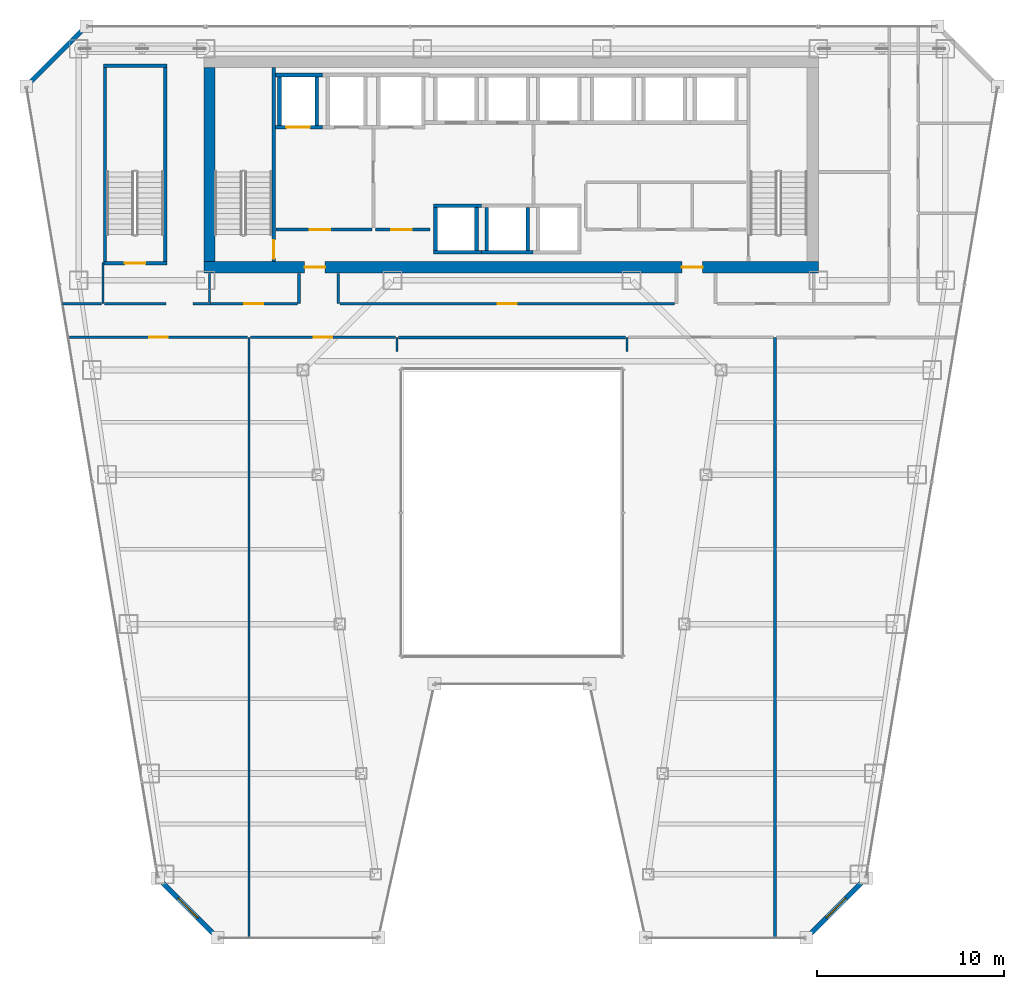
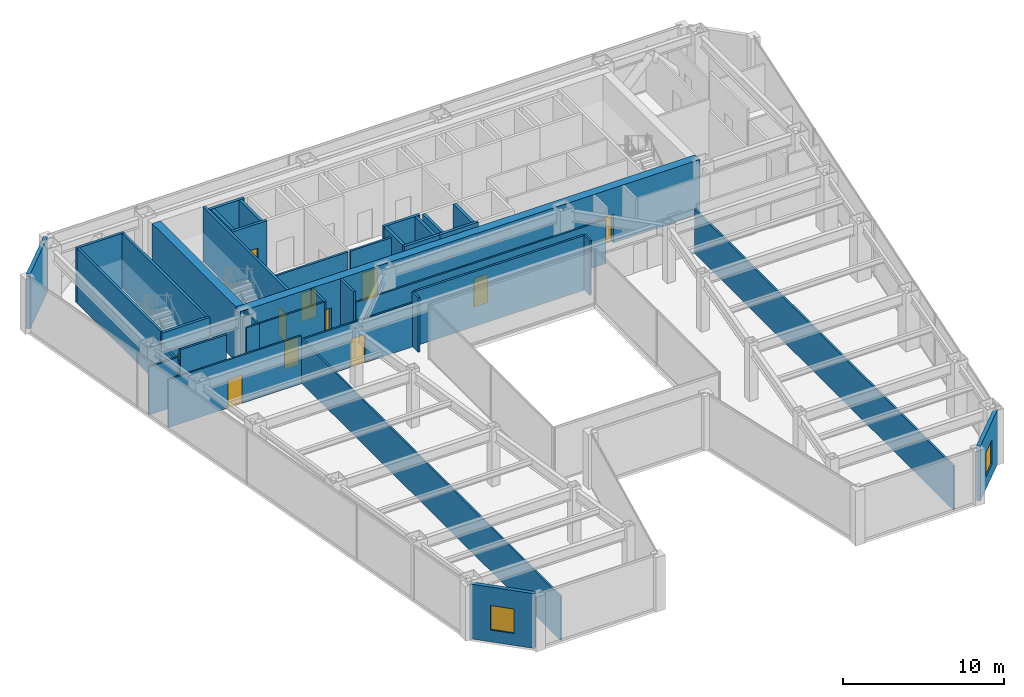
# One storey, part 32 of 37: 39 walls, 11 doors, 2 windows, 13 openings.
"""IFC4 building model written with IfcOpenShell, lengths in metres."""

from ifc_helpers import new_model, si_unit, direction, frame, frame_2d, origin, place, context, subcontext, project, spatial, rectangle, extrude, material, layer, layer_set, type_object, element, fill, save


model = new_model("IFC4")

# Units and contexts
model_context = context("Model", 3, precision=1e-05, world=origin(), true_north=direction((0.0, 1.0)))
body_context = subcontext(model_context, "Body", "Model", "MODEL_VIEW")
ifc_project = project(units=[si_unit("LENGTHUNIT", "METRE"), si_unit("AREAUNIT", "SQUARE_METRE"), si_unit("VOLUMEUNIT", "CUBIC_METRE"), si_unit("PLANEANGLEUNIT", "RADIAN"), si_unit("MASSUNIT", "GRAM", prefix="KILO")], contexts=[model_context])

# Site, building, storey
site_placement = place(None, origin())
site = spatial("IfcSite", under=ifc_project, at=site_placement, CompositionType="ELEMENT")
building_placement = place(site_placement, origin())
building = spatial("IfcBuilding", under=site, at=building_placement, Name="Saevonmaru Cultural Tower", CompositionType="ELEMENT")
storey_placement = place(building_placement, frame((0.0, 0.0, 106.0)))
storey = spatial("IfcBuildingStorey", under=building, at=storey_placement, Name="L22", CompositionType="ELEMENT", Elevation=106.0)

# Wall, openings, doors
ifc_material_1 = material(Name="Concrete C60/75", Category="concrete")
ifc_layer_1 = layer(ifc_material_1, 0.60009765625, Name="Concrete C60/75")
ifc_layer_set_1 = layer_set([ifc_layer_1], Name="Concrete C60/75")
wall_type_1 = type_object("IfcWallType", Name="WL-CORE-600", PredefinedType="SHEAR", material=ifc_layer_set_1)
wall_1_placement = place(storey_placement, frame((13.5, 43.10009765625, 0.0), z_axis=(0.0, 0.0, 1.0), x_axis=(1.0, 0.0, 0.0)))
wall_1 = element("IfcWall", 1, at=wall_1_placement, inside=storey, type_object=wall_type_1, Name="L22 Tower RC core shear wall S", PredefinedType="SHEAR", context=body_context, shape_type="SweptSolid", body=[
    extrude(rectangle(XDim=32.89990234375, YDim=0.60009765625, at=frame_2d((16.449951171875, 0.0))), origin(), (0.0, 0.0, 1.0), 4.14990234375),
])
opening_1_placement = place(wall_1_placement, frame((5.39990234375, 0.0, 0.0)))
opening_1 = element("IfcOpeningElement", 2, at=opening_1_placement, cuts=wall_1, Name="Opening FD-2", PredefinedType="OPENING", context=body_context, shape_type="SweptSolid", body=[
    extrude(rectangle(XDim=1.10009765625, YDim=2.14990234375, at=frame_2d((0.550048828125, 1.074951171875))), frame((0.0, 0.31005859375, 0.0), z_axis=(0.0, -1.0, 0.0), x_axis=(1.0, 0.0, 0.0)), (0.0, 0.0, 1.0), 0.6201171875),
])
opening_2_placement = place(wall_1_placement, frame((25.60009765625, 0.0, 0.0)))
opening_2 = element("IfcOpeningElement", 3, at=opening_2_placement, cuts=wall_1, Name="Opening FD-2", PredefinedType="OPENING", context=body_context, shape_type="SweptSolid", body=[
    extrude(rectangle(XDim=1.10009765625, YDim=2.14990234375, at=frame_2d((0.550048828125, 1.074951171875))), frame((0.0, 0.31005859375, 0.0), z_axis=(0.0, -1.0, 0.0), x_axis=(1.0, 0.0, 0.0)), (0.0, 0.0, 1.0), 0.6201171875),
])
ifc_material_2 = material(Name="Satin Bronze Anodised Aluminium", Category="aluminium")
door_type_1 = type_object("IfcDoorType", Name="DR-FD60-1100", OperationType="SINGLE_SWING_LEFT", PredefinedType="DOOR", material=ifc_material_2)
door_1_placement = place(opening_1_placement, origin())
door_1 = element("IfcDoor", 4, at=door_1_placement, inside=storey, type_object=door_type_1, Name="L22 Core West Lobby Fire Door", OperationType="SINGLE_SWING_LEFT", OverallHeight=2.14990234375, OverallWidth=1.10009765625, PredefinedType="DOOR", context=body_context, shape_type="SweptSolid", body=[
    extrude(rectangle(XDim=1.10009765625, YDim=2.14990234375, at=frame_2d((0.550048828125, 1.074951171875))), frame((0.0, 0.02490234375, 0.0), z_axis=(0.0, -1.0, 0.0), x_axis=(1.0, 0.0, 0.0)), (0.0, 0.0, 1.0), 0.050048828125),
])
fill(opening_1, door_1)
door_2_placement = place(opening_2_placement, origin())
door_2 = element("IfcDoor", 5, at=door_2_placement, inside=storey, type_object=door_type_1, Name="L22 Core East Lobby Fire Door", OperationType="SINGLE_SWING_LEFT", OverallHeight=2.14990234375, OverallWidth=1.10009765625, PredefinedType="DOOR", context=body_context, shape_type="SweptSolid", body=[
    extrude(rectangle(XDim=1.10009765625, YDim=2.14990234375, at=frame_2d((0.550048828125, 1.074951171875))), frame((0.0, 0.02490234375, 0.0), z_axis=(0.0, -1.0, 0.0), x_axis=(1.0, 0.0, 0.0)), (0.0, 0.0, 1.0), 0.050048828125),
])
fill(opening_2, door_2)

# Wall
wall_2_placement = place(storey_placement, frame((13.800048828125, 43.39990234375, 0.0), z_axis=(0.0, 0.0, 1.0), x_axis=(0.0, 1.0, 0.0)))
element("IfcWall", 6, at=wall_2_placement, inside=storey, type_object=wall_type_1, Name="L22 Tower RC core shear wall W", PredefinedType="SHEAR", context=body_context, shape_type="SweptSolid", body=[
    extrude(rectangle(XDim=10.400146484375, YDim=0.60009765625, at=frame_2d((5.2001953125, 0.0))), origin(), (0.0, 0.0, 1.0), 4.14990234375),
])

# Wall, opening, door
ifc_material_3 = material(Name="Gypsum Fireboard Partition", Category="gypsum")
ifc_layer_2 = layer(ifc_material_3, 0.14990234375, Name="Gypsum Fireboard Partition")
ifc_layer_set_2 = layer_set([ifc_layer_2], Name="Gypsum Fireboard Partition")
wall_type_2 = type_object("IfcWallType", Name="WL-CORE-PART-150", PredefinedType="PARTITIONING", material=ifc_layer_set_2)
wall_3_placement = place(storey_placement, frame((17.360107421875, 45.1201171875, 0.0), z_axis=(0.0, 0.0, 1.0), x_axis=(1.0, 0.0, 0.0)))
wall_3 = element("IfcWall", 7, at=wall_3_placement, inside=storey, type_object=wall_type_2, Name="L22 Firefighting Lift Lobby South Wall", PredefinedType="PARTITIONING", context=body_context, shape_type="SweptSolid", body=[
    extrude(rectangle(XDim=5.139892578125, YDim=0.14990234375, at=frame_2d((2.56982421875, 0.0))), origin(), (0.0, 0.0, 1.0), 4.14990234375),
])
opening_3_placement = place(wall_3_placement, frame((1.800048828125, 0.0, 0.0)))
opening_3 = element("IfcOpeningElement", 8, at=opening_3_placement, cuts=wall_3, Name="Opening FD-2", PredefinedType="OPENING", context=body_context, shape_type="SweptSolid", body=[
    extrude(rectangle(XDim=1.10009765625, YDim=2.14990234375, at=frame_2d((0.550048828125, 1.074951171875))), frame((0.0, 0.0849609375, 0.0), z_axis=(0.0, -1.0, 0.0), x_axis=(1.0, 0.0, 0.0)), (0.0, 0.0, 1.0), 0.169921875),
])
door_3_placement = place(opening_3_placement, origin())
door_3 = element("IfcDoor", 9, at=door_3_placement, inside=storey, type_object=door_type_1, Name="L22 Firefighting Lift Lobby South Door", OperationType="SINGLE_SWING_LEFT", OverallHeight=2.14990234375, OverallWidth=1.10009765625, PredefinedType="DOOR", context=body_context, shape_type="SweptSolid", body=[
    extrude(rectangle(XDim=1.10009765625, YDim=2.14990234375, at=frame_2d((0.550048828125, 1.074951171875))), frame((0.0, 0.02490234375, 0.0), z_axis=(0.0, -1.0, 0.0), x_axis=(1.0, 0.0, 0.0)), (0.0, 0.0, 1.0), 0.050048828125),
])
fill(opening_3, door_3)

wall_4_placement = place(storey_placement, frame((22.679931640625, 45.1201171875, 0.0), z_axis=(0.0, 0.0, 1.0), x_axis=(1.0, 0.0, 0.0)))
wall_4 = element("IfcWall", 10, at=wall_4_placement, inside=storey, type_object=wall_type_2, Name="L22 Service Lift Vestibule Wall", PredefinedType="PARTITIONING", context=body_context, shape_type="SweptSolid", body=[
    extrude(rectangle(XDim=2.920166015625, YDim=0.14990234375, at=frame_2d((1.4599609375, 0.0))), origin(), (0.0, 0.0, 1.0), 4.14990234375),
])
opening_4_placement = place(wall_4_placement, frame((0.85009765625, 0.0, 0.0)))
opening_4 = element("IfcOpeningElement", 11, at=opening_4_placement, cuts=wall_4, Name="Opening FD-2", PredefinedType="OPENING", context=body_context, shape_type="SweptSolid", body=[
    extrude(rectangle(XDim=1.10009765625, YDim=2.14990234375, at=frame_2d((0.550048828125, 1.074951171875))), frame((0.0, 0.0849609375, 0.0), z_axis=(0.0, -1.0, 0.0), x_axis=(1.0, 0.0, 0.0)), (0.0, 0.0, 1.0), 0.169921875),
])
door_4_placement = place(opening_4_placement, origin())
door_4 = element("IfcDoor", 12, at=door_4_placement, inside=storey, type_object=door_type_1, Name="L22 Service Lift Vestibule Door", OperationType="SINGLE_SWING_LEFT", OverallHeight=2.14990234375, OverallWidth=1.10009765625, PredefinedType="DOOR", context=body_context, shape_type="SweptSolid", body=[
    extrude(rectangle(XDim=1.10009765625, YDim=2.14990234375, at=frame_2d((0.550048828125, 1.074951171875))), frame((0.0, 0.02490234375, 0.0), z_axis=(0.0, -1.0, 0.0), x_axis=(1.0, 0.0, 0.0)), (0.0, 0.0, 1.0), 0.050048828125),
])
fill(opening_4, door_4)

# Wall, opening, window
ifc_material_4 = material(Name="Granite-Clad Precast Concrete C40/50", Category="masonry")
ifc_layer_3 = layer(ifc_material_4, 0.260009765625, Name="Granite-Clad Precast Concrete C40/50")
ifc_layer_set_3 = layer_set([ifc_layer_3], Name="Granite-Clad Precast Concrete C40/50")
wall_type_3 = type_object("IfcWallType", Name="WL-EXT-SPANDREL-260", PredefinedType="STANDARD", material=ifc_layer_set_3)
wall_5_placement = place(storey_placement, frame((11.162109375, 10.286865234375, 0.0), z_axis=(0.0, 0.0, 1.0), x_axis=(0.70707775441, -0.707135806771, 0.0)))
wall_5 = element("IfcWall", 13, at=wall_5_placement, inside=storey, type_object=wall_type_3, Name="L22 Chamfer Corner Spandrel Wall E1", PredefinedType="STANDARD", context=body_context, shape_type="SweptSolid", body=[
    extrude(rectangle(XDim=4.20556640625, YDim=0.260009765625, at=frame_2d((2.102783203125, 0.0))), origin(), (0.0, 0.0, 1.0), 4.14990234375),
])
opening_5_placement = place(wall_5_placement, frame((1.35302734375, 0.0, 0.89990234375)))
opening_5 = element("IfcOpeningElement", 14, at=opening_5_placement, cuts=wall_5, Name="Opening W-2B", PredefinedType="OPENING", context=body_context, shape_type="SweptSolid", body=[
    extrude(rectangle(XDim=1.5, YDim=1.85009765625, at=frame_2d((0.75, 0.925048828125))), frame((0.0, 0.14013671875, 0.0), z_axis=(0.0, -1.0, 0.0), x_axis=(1.0, 0.0, 0.0)), (0.0, 0.0, 1.0), 0.280029296875),
])
window_type = type_object("IfcWindowType", Name="WN-DECO-1500x1850", PartitioningType="SINGLE_PANEL", PredefinedType="WINDOW", material=ifc_material_2)
window_1_placement = place(opening_5_placement, origin())
window_1 = element("IfcWindow", 15, at=window_1_placement, inside=storey, type_object=window_type, Name="L22 Chamfer Corner Bronze Window E1", OverallHeight=1.85009765625, OverallWidth=1.5, PartitioningType="SINGLE_PANEL", PredefinedType="WINDOW", context=body_context, shape_type="SweptSolid", body=[
    extrude(rectangle(XDim=1.5, YDim=1.85009765625, at=frame_2d((0.75, 0.925048828125))), frame((0.0, 0.030029296875, 0.0), z_axis=(0.0, -1.0, 0.0), x_axis=(1.0, 0.0, 0.0)), (0.0, 0.0, 1.0), 0.06005859375),
])
fill(opening_5, window_1)

wall_6_placement = place(storey_placement, frame((45.8642578125, 7.31298828125, 0.0), z_axis=(0.0, 0.0, 1.0), x_axis=(0.70707775441, 0.707135806771, 0.0)))
wall_6 = element("IfcWall", 16, at=wall_6_placement, inside=storey, type_object=wall_type_3, Name="L22 Chamfer Corner Spandrel Wall E7", PredefinedType="STANDARD", context=body_context, shape_type="SweptSolid", body=[
    extrude(rectangle(XDim=4.20556640625, YDim=0.260009765625, at=frame_2d((2.102783203125, 0.0))), origin(), (0.0, 0.0, 1.0), 4.14990234375),
])
opening_6_placement = place(wall_6_placement, frame((1.35302734375, 0.0, 0.89990234375)))
opening_6 = element("IfcOpeningElement", 17, at=opening_6_placement, cuts=wall_6, Name="Opening W-2B", PredefinedType="OPENING", context=body_context, shape_type="SweptSolid", body=[
    extrude(rectangle(XDim=1.5, YDim=1.85009765625, at=frame_2d((0.75, 0.925048828125))), frame((0.0, 0.14013671875, 0.0), z_axis=(0.0, -1.0, 0.0), x_axis=(1.0, 0.0, 0.0)), (0.0, 0.0, 1.0), 0.280029296875),
])
window_2_placement = place(opening_6_placement, origin())
window_2 = element("IfcWindow", 18, at=window_2_placement, inside=storey, type_object=window_type, Name="L22 Chamfer Corner Bronze Window E7", OverallHeight=1.85009765625, OverallWidth=1.5, PartitioningType="SINGLE_PANEL", PredefinedType="WINDOW", context=body_context, shape_type="SweptSolid", body=[
    extrude(rectangle(XDim=1.5, YDim=1.85009765625, at=frame_2d((0.75, 0.925048828125))), frame((0.0, 0.030029296875, 0.0), z_axis=(0.0, -1.0, 0.0), x_axis=(1.0, 0.0, 0.0)), (0.0, 0.0, 1.0), 0.06005859375),
])
fill(opening_6, window_2)

# Walls
wall_7_placement = place(storey_placement, frame((7.0869140625, 55.886962890625, 0.0), z_axis=(0.0, 0.0, 1.0), x_axis=(-0.707106781187, -0.707106781187, 0.0)))
element("IfcWall", 19, at=wall_7_placement, inside=storey, type_object=wall_type_3, Name="L22 Chamfer Corner Spandrel Wall E11", PredefinedType="STANDARD", context=body_context, shape_type="SweptSolid", body=[
    extrude(rectangle(XDim=4.205810546875, YDim=0.260009765625, at=frame_2d((2.10302734375, 0.0))), origin(), (0.0, 0.0, 1.0), 4.14990234375),
])
ifc_layer_4 = layer(ifc_material_3, 0.14990234375, Name="Gypsum Fireboard Partition")
ifc_layer_set_4 = layer_set([ifc_layer_4], Name="Gypsum Fireboard Partition")
wall_type_4 = type_object("IfcWallType", Name="WL-PART-FIRE-150", PredefinedType="PARTITIONING", material=ifc_layer_set_4)
wall_8_placement = place(storey_placement, frame((8.179931640625, 41.14990234375, 0.0), z_axis=(0.0, 0.0, 1.0), x_axis=(1.0, 0.0, 0.0)))
element("IfcWall", 20, at=wall_8_placement, inside=storey, type_object=wall_type_4, Name="L22 Stair ST-3 South Vestibule Wall", PredefinedType="PARTITIONING", context=body_context, shape_type="SweptSolid", body=[
    extrude(rectangle(XDim=3.300048828125, YDim=0.14990234375, at=frame_2d((1.64990234375, 0.0))), origin(), (0.0, 0.0, 1.0), 4.14990234375),
])
for number, where, z_axis, x_axis, name in (
    (21, (18.60009765625, 41.14990234375, 0.0), (0.0, 0.0, 1.0), (0.0, 1.0, 0.0), "L22 Core Portal Side Wall W1"),
    (22, (20.699951171875, 41.14990234375, 0.0), (0.0, 0.0, 1.0), (0.0, 1.0, 0.0), "L22 Core Portal Side Wall W2"),
):
    element("IfcWall", number, at=place(storey_placement, frame(where, z_axis=z_axis, x_axis=x_axis)), inside=storey, type_object=wall_type_4, Name=name, PredefinedType="PARTITIONING", context=body_context, shape_type="SweptSolid", body=[
        extrude(rectangle(XDim=1.630126953125, YDim=0.14990234375, at=frame_2d((0.81494140625, 0.0))), origin(), (0.0, 0.0, 1.0), 4.14990234375),
    ])
wall_9_placement = place(storey_placement, frame((23.929931640625, 39.35009765625, 0.0), z_axis=(0.0, 0.0, 1.0), x_axis=(1.0, 0.0, 0.0)))
element("IfcWall", 23, at=wall_9_placement, inside=storey, type_object=wall_type_4, Name="L22 North Atrium Corridor Wall", PredefinedType="PARTITIONING", context=body_context, shape_type="SweptSolid", body=[
    extrude(rectangle(XDim=12.14013671875, YDim=0.14990234375, at=frame_2d((6.070068359375, 0.0))), origin(), (0.0, 0.0, 1.0), 4.14990234375),
])
ifc_layer_5 = layer(ifc_material_3, 0.1201171875, Name="Gypsum Fireboard Partition")
ifc_layer_set_5 = layer_set([ifc_layer_5], Name="Gypsum Fireboard Partition")
wall_type_5 = type_object("IfcWallType", Name="WL-PART-GYP-120", PredefinedType="PARTITIONING", material=ifc_layer_set_5)
wall_10_placement = place(storey_placement, frame((12.919921875, 41.14990234375, 0.0), z_axis=(0.0, 0.0, 1.0), x_axis=(1.0, 0.0, 0.0)))
element("IfcWall", 24, at=wall_10_placement, inside=storey, type_object=wall_type_5, Name="L22 NW Inner South Wall", PredefinedType="PARTITIONING", context=body_context, shape_type="SweptSolid", body=[
    extrude(rectangle(XDim=0.93017578125, YDim=0.1201171875, at=frame_2d((0.465087890625, 0.0))), origin(), (0.0, 0.0, 1.0), 4.14990234375),
])
wall_11_placement = place(storey_placement, frame((13.800048828125, 41.22998046875, 0.0), z_axis=(0.0, 0.0, 1.0), x_axis=(0.0, 1.0, 0.0)))
element("IfcWall", 25, at=wall_11_placement, inside=storey, type_object=wall_type_5, Name="L22 NW Inner Core Return", PredefinedType="PARTITIONING", context=body_context, shape_type="SweptSolid", body=[
    extrude(rectangle(XDim=1.550048828125, YDim=0.1201171875, at=frame_2d((0.77490234375, 0.0))), origin(), (0.0, 0.0, 1.0), 4.14990234375),
])
wall_12_placement = place(storey_placement, frame((8.10009765625, 41.14990234375, 0.0), z_axis=(0.0, 0.0, 1.0), x_axis=(0.0, 1.0, 0.0)))
element("IfcWall", 26, at=wall_12_placement, inside=storey, type_object=wall_type_5, Name="L22 NW Stair Return", PredefinedType="PARTITIONING", context=body_context, shape_type="SweptSolid", body=[
    extrude(rectangle(XDim=2.2001953125, YDim=0.1201171875, at=frame_2d((1.10009765625, 0.0))), origin(), (0.0, 0.0, 1.0), 3.3349609375),
])
wall_13_placement = place(storey_placement, frame((5.94189453125, 41.14990234375, 0.0), z_axis=(0.0, 0.0, 1.0), x_axis=(1.0, 0.0, 0.0)))
element("IfcWall", 27, at=wall_13_placement, inside=storey, type_object=wall_type_5, Name="L22 Panoramic Salon Restaurant Corridor Wall", PredefinedType="PARTITIONING", context=body_context, shape_type="SweptSolid", body=[
    extrude(rectangle(XDim=2.078125, YDim=0.1201171875, at=frame_2d((1.0390625, 0.0))), origin(), (0.0, 0.0, 1.0), 3.635009765625),
])

# Wall, opening, door
wall_14_placement = place(storey_placement, frame((13.85009765625, 41.14990234375, 0.0), z_axis=(0.0, 0.0, 1.0), x_axis=(1.0, 0.0, 0.0)))
wall_14 = element("IfcWall", 28, at=wall_14_placement, inside=storey, type_object=wall_type_5, Name="L22 Museum Espresso Cafe Corridor Wall", PredefinedType="PARTITIONING", context=body_context, shape_type="SweptSolid", body=[
    extrude(rectangle(XDim=4.65478515625, YDim=0.1201171875, at=frame_2d((2.327392578125, 0.0))), origin(), (0.0, 0.0, 1.0), 4.14990234375),
])
opening_7_placement = place(wall_14_placement, frame((1.826904296875, 0.0, 0.0)))
opening_7 = element("IfcOpeningElement", 29, at=opening_7_placement, cuts=wall_14, Name="Opening ID-1B", PredefinedType="OPENING", context=body_context, shape_type="SweptSolid", body=[
    extrude(rectangle(XDim=1.0, YDim=2.14990234375, at=frame_2d((0.5, 1.074951171875))), frame((0.0, 0.070068359375, 0.0), z_axis=(0.0, -1.0, 0.0), x_axis=(1.0, 0.0, 0.0)), (0.0, 0.0, 1.0), 0.14013671875),
])
ifc_material_5 = material(Name="Acoustic Stained Oak Timber", Category="wood")
door_type_2 = type_object("IfcDoorType", Name="DR-INT-1000", OperationType="SINGLE_SWING_RIGHT", PredefinedType="DOOR", material=ifc_material_5)
door_5_placement = place(opening_7_placement, origin())
door_5 = element("IfcDoor", 30, at=door_5_placement, inside=storey, type_object=door_type_2, Name="L22 Museum Espresso Cafe Door", OperationType="SINGLE_SWING_LEFT", OverallHeight=2.14990234375, OverallWidth=1.0, PredefinedType="DOOR", context=body_context, shape_type="SweptSolid", body=[
    extrude(rectangle(XDim=1.0, YDim=2.14990234375, at=frame_2d((0.5, 1.074951171875))), frame((0.0, 0.02490234375, 0.0), z_axis=(0.0, -1.0, 0.0), x_axis=(1.0, 0.0, 0.0)), (0.0, 0.0, 1.0), 0.050048828125),
])
fill(opening_7, door_5)

wall_15_placement = place(storey_placement, frame((20.794921875, 41.14990234375, 0.0), z_axis=(0.0, 0.0, 1.0), x_axis=(1.0, 0.0, 0.0)))
wall_15 = element("IfcWall", 31, at=wall_15_placement, inside=storey, type_object=wall_type_5, Name="L22 Panoramic Salon Restaurant Corridor Wall", PredefinedType="PARTITIONING", context=body_context, shape_type="SweptSolid", body=[
    extrude(rectangle(XDim=17.91015625, YDim=0.1201171875, at=frame_2d((8.955078125, 0.0))), origin(), (0.0, 0.0, 1.0), 3.3349609375),
])
opening_8_placement = place(wall_15_placement, frame((8.455078125, 0.0, 0.0)))
opening_8 = element("IfcOpeningElement", 32, at=opening_8_placement, cuts=wall_15, Name="Opening ID-1B", PredefinedType="OPENING", context=body_context, shape_type="SweptSolid", body=[
    extrude(rectangle(XDim=1.0, YDim=2.14990234375, at=frame_2d((0.5, 1.074951171875))), frame((0.0, 0.070068359375, 0.0), z_axis=(0.0, -1.0, 0.0), x_axis=(1.0, 0.0, 0.0)), (0.0, 0.0, 1.0), 0.14013671875),
])
door_6_placement = place(opening_8_placement, origin())
door_6 = element("IfcDoor", 33, at=door_6_placement, inside=storey, type_object=door_type_2, Name="L22 Panoramic Salon Restaurant Door", OperationType="SINGLE_SWING_RIGHT", OverallHeight=2.14990234375, OverallWidth=1.0, PredefinedType="DOOR", context=body_context, shape_type="SweptSolid", body=[
    extrude(rectangle(XDim=1.0, YDim=2.14990234375, at=frame_2d((0.5, 1.074951171875))), frame((0.0, 0.02490234375, 0.0), z_axis=(0.0, -1.0, 0.0), x_axis=(1.0, 0.0, 0.0)), (0.0, 0.0, 1.0), 0.050048828125),
])
fill(opening_8, door_6)

# Walls
wall_16_placement = place(storey_placement, frame((15.919921875, 7.205078125, 0.0), z_axis=(0.0, 0.0, 1.0), x_axis=(0.0, 1.0, 0.0)))
element("IfcWall", 34, at=wall_16_placement, inside=storey, type_object=wall_type_5, Name="L22 West Bay Divider 1", PredefinedType="PARTITIONING", context=body_context, shape_type="SweptSolid", body=[
    extrude(rectangle(XDim=32.14501953125, YDim=0.1201171875, at=frame_2d((16.072509765625, 0.0))), origin(), (0.0, 0.0, 1.0), 3.3349609375),
])
for number, where, z_axis, x_axis, name in (
    (35, (23.85009765625, 38.60009765625, 0.0), (0.0, 0.0, 1.0), (0.0, 1.0, 0.0), "L22 North Atrium West Wall"),
    (36, (36.14990234375, 38.60009765625, 0.0), (0.0, 0.0, 1.0), (0.0, 1.0, 0.0), "L22 North Atrium East Wall"),
):
    element("IfcWall", number, at=place(storey_placement, frame(where, z_axis=z_axis, x_axis=x_axis)), inside=storey, type_object=wall_type_5, Name=name, PredefinedType="PARTITIONING", context=body_context, shape_type="SweptSolid", body=[
        extrude(rectangle(XDim=0.75, YDim=0.1201171875, at=frame_2d((0.375, 0.0))), origin(), (0.0, 0.0, 1.0), 4.14990234375),
    ])

# Wall, opening, door
wall_17_placement = place(storey_placement, frame((6.304931640625, 39.35009765625, 0.0), z_axis=(0.0, 0.0, 1.0), x_axis=(1.0, 0.0, 0.0)))
wall_17 = element("IfcWall", 37, at=wall_17_placement, inside=storey, type_object=wall_type_5, Name="L22 Museum Espresso Cafe Corridor Wall", PredefinedType="PARTITIONING", context=body_context, shape_type="SweptSolid", body=[
    extrude(rectangle(XDim=9.53515625, YDim=0.1201171875, at=frame_2d((4.767578125, 0.0))), origin(), (0.0, 0.0, 1.0), 3.635009765625),
])
opening_9_placement = place(wall_17_placement, frame((4.26806640625, 0.0, 0.0)))
opening_9 = element("IfcOpeningElement", 38, at=opening_9_placement, cuts=wall_17, Name="Opening ID-1B", PredefinedType="OPENING", context=body_context, shape_type="SweptSolid", body=[
    extrude(rectangle(XDim=1.0, YDim=2.14990234375, at=frame_2d((0.5, 1.074951171875))), frame((0.0, 0.070068359375, 0.0), z_axis=(0.0, -1.0, 0.0), x_axis=(1.0, 0.0, 0.0)), (0.0, 0.0, 1.0), 0.14013671875),
])
door_7_placement = place(opening_9_placement, origin())
door_7 = element("IfcDoor", 39, at=door_7_placement, inside=storey, type_object=door_type_2, Name="L22 Museum Espresso Cafe Door", OperationType="SINGLE_SWING_RIGHT", OverallHeight=2.14990234375, OverallWidth=1.0, PredefinedType="DOOR", context=body_context, shape_type="SweptSolid", body=[
    extrude(rectangle(XDim=1.0, YDim=2.14990234375, at=frame_2d((0.5, 1.074951171875))), frame((0.0, 0.02490234375, 0.0), z_axis=(0.0, -1.0, 0.0), x_axis=(1.0, 0.0, 0.0)), (0.0, 0.0, 1.0), 0.050048828125),
])
fill(opening_9, door_7)

wall_18_placement = place(storey_placement, frame((16.0, 39.35009765625, 0.0), z_axis=(0.0, 0.0, 1.0), x_axis=(1.0, 0.0, 0.0)))
wall_18 = element("IfcWall", 40, at=wall_18_placement, inside=storey, type_object=wall_type_5, Name="L22 Panoramic Salon Restaurant Corridor Wall", PredefinedType="PARTITIONING", context=body_context, shape_type="SweptSolid", body=[
    extrude(rectangle(XDim=7.77001953125, YDim=0.1201171875, at=frame_2d((3.885009765625, 0.0))), origin(), (0.0, 0.0, 1.0), 3.3349609375),
])
opening_10_placement = place(wall_18_placement, frame((3.385009765625, 0.0, 0.0)))
opening_10 = element("IfcOpeningElement", 41, at=opening_10_placement, cuts=wall_18, Name="Opening ID-1B", PredefinedType="OPENING", context=body_context, shape_type="SweptSolid", body=[
    extrude(rectangle(XDim=1.0, YDim=2.14990234375, at=frame_2d((0.5, 1.074951171875))), frame((0.0, 0.070068359375, 0.0), z_axis=(0.0, -1.0, 0.0), x_axis=(1.0, 0.0, 0.0)), (0.0, 0.0, 1.0), 0.14013671875),
])
door_8_placement = place(opening_10_placement, origin())
door_8 = element("IfcDoor", 42, at=door_8_placement, inside=storey, type_object=door_type_2, Name="L22 Panoramic Salon Restaurant Door", OperationType="SINGLE_SWING_LEFT", OverallHeight=2.14990234375, OverallWidth=1.0, PredefinedType="DOOR", context=body_context, shape_type="SweptSolid", body=[
    extrude(rectangle(XDim=1.0, YDim=2.14990234375, at=frame_2d((0.5, 1.074951171875))), frame((0.0, 0.02490234375, 0.0), z_axis=(0.0, -1.0, 0.0), x_axis=(1.0, 0.0, 0.0)), (0.0, 0.0, 1.0), 0.050048828125),
])
fill(opening_10, door_8)

# Wall
ifc_layer_6 = layer(ifc_material_3, 0.135009765625, Name="Gypsum Fireboard Partition")
ifc_layer_set_6 = layer_set([ifc_layer_6], Name="Gypsum Fireboard Partition")
wall_type_6 = type_object("IfcWallType", Name="WL-PART-GYP-135", PredefinedType="PARTITIONING", material=ifc_layer_set_6)
wall_19_placement = place(storey_placement, frame((44.080078125, 7.205078125, 0.0), z_axis=(0.0, 0.0, 1.0), x_axis=(0.0, 1.0, 0.0)))
element("IfcWall", 43, at=wall_19_placement, inside=storey, type_object=wall_type_6, Name="L22 East Bay Divider 1", PredefinedType="PARTITIONING", context=body_context, shape_type="SweptSolid", body=[
    extrude(rectangle(XDim=32.14501953125, YDim=0.135009765625, at=frame_2d((16.072509765625, 0.0))), origin(), (0.0, 0.0, 1.0), 3.3349609375),
])

# Wall, opening, door
ifc_material_6 = material(Name="Concrete C40/50", Category="concrete")
ifc_layer_7 = layer(ifc_material_6, 0.199951171875, Name="Concrete C40/50")
ifc_layer_set_7 = layer_set([ifc_layer_7], Name="Concrete C40/50")
wall_type_7 = type_object("IfcWallType", Name="WL-SHAFT-200", PredefinedType="SHEAR", material=ifc_layer_set_7)
wall_20_placement = place(storey_placement, frame((17.330078125, 50.60009765625, 0.0), z_axis=(0.0, 0.0, 1.0), x_axis=(1.0, 0.0, 0.0)))
wall_20 = element("IfcWall", 44, at=wall_20_placement, inside=storey, type_object=wall_type_7, Name="L22 Lift FFL-1 Hoistway Wall S", PredefinedType="SHEAR", context=body_context, shape_type="SweptSolid", body=[
    extrude(rectangle(XDim=2.52001953125, YDim=0.199951171875, at=frame_2d((1.260009765625, 0.0))), origin(), (0.0, 0.0, 1.0), 4.14990234375),
])
opening_11_placement = place(wall_20_placement, frame((0.594970703125, 0.0, 0.0)))
opening_11 = element("IfcOpeningElement", 45, at=opening_11_placement, cuts=wall_20, Name="Opening LD-2", PredefinedType="OPENING", context=body_context, shape_type="SweptSolid", body=[
    extrude(rectangle(XDim=1.25, YDim=2.300048828125, at=frame_2d((0.625, 1.14990234375))), frame((0.0, 0.10986328125, 0.0), z_axis=(0.0, -1.0, 0.0), x_axis=(1.0, 0.0, 0.0)), (0.0, 0.0, 1.0), 0.219970703125),
])
ifc_material_7 = material(Name="Stainless Steel 316", Category="steel")
door_type_3 = type_object("IfcDoorType", Name="DR-LIFT-1250", OperationType="SLIDING_TO_LEFT", PredefinedType="DOOR", material=ifc_material_7)
door_9_placement = place(opening_11_placement, origin())
door_9 = element("IfcDoor", 46, at=door_9_placement, inside=storey, type_object=door_type_3, Name="L22 Lift FFL-1 Sliding Landing Door", OperationType="SLIDING_TO_LEFT", OverallHeight=2.300048828125, OverallWidth=1.25, PredefinedType="DOOR", context=body_context, shape_type="SweptSolid", body=[
    extrude(rectangle(XDim=1.25, YDim=2.300048828125, at=frame_2d((0.625, 1.14990234375))), frame((0.0, 0.02490234375, 0.0), z_axis=(0.0, -1.0, 0.0), x_axis=(1.0, 0.0, 0.0)), (0.0, 0.0, 1.0), 0.050048828125),
])
fill(opening_11, door_9)

# Walls
wall_21_placement = place(storey_placement, frame((17.330078125, 53.39990234375, 0.0), z_axis=(0.0, 0.0, 1.0), x_axis=(1.0, 0.0, 0.0)))
element("IfcWall", 47, at=wall_21_placement, inside=storey, type_object=wall_type_7, Name="L22 Lift FFL-1 Hoistway Wall N", PredefinedType="SHEAR", context=body_context, shape_type="SweptSolid", body=[
    extrude(rectangle(XDim=2.52001953125, YDim=0.199951171875, at=frame_2d((1.260009765625, 0.0))), origin(), (0.0, 0.0, 1.0), 4.14990234375),
])
for number, where, z_axis, x_axis, name in (
    (48, (17.550048828125, 50.699951171875, 0.0), (0.0, 0.0, 1.0), (0.0, 1.0, 0.0), "L22 Lift FFL-1 Hoistway Wall W"),
    (49, (19.550048828125, 50.699951171875, 0.0), (0.0, 0.0, 1.0), (0.0, 1.0, 0.0), "L22 Lift FFL-1 Hoistway Wall E"),
):
    element("IfcWall", number, at=place(storey_placement, frame(where, z_axis=z_axis, x_axis=x_axis)), inside=storey, type_object=wall_type_7, Name=name, PredefinedType="SHEAR", context=body_context, shape_type="SweptSolid", body=[
        extrude(rectangle(XDim=2.60009765625, YDim=0.199951171875, at=frame_2d((1.300048828125, 0.0))), origin(), (0.0, 0.0, 1.0), 4.14990234375),
    ])
for number, where, z_axis, x_axis, name in (
    (50, (25.800048828125, 43.89990234375, 0.0), (0.0, 0.0, 1.0), (1.0, 0.0, 0.0), "L22 Lift PL-M1 Hoistway Wall S"),
    (51, (25.800048828125, 46.39990234375, 0.0), (0.0, 0.0, 1.0), (1.0, 0.0, 0.0), "L22 Lift PL-M1 Hoistway Wall N"),
):
    element("IfcWall", number, at=place(storey_placement, frame(where, z_axis=z_axis, x_axis=x_axis)), inside=storey, type_object=wall_type_7, Name=name, PredefinedType="SHEAR", context=body_context, shape_type="SweptSolid", body=[
        extrude(rectangle(XDim=2.574951171875, YDim=0.199951171875, at=frame_2d((1.28759765625, 0.0))), origin(), (0.0, 0.0, 1.0), 4.14990234375),
    ])
for number, where, z_axis, x_axis, name in (
    (52, (25.89990234375, 44.0, 0.0), (0.0, 0.0, 1.0), (0.0, 1.0, 0.0), "L22 Lift PL-M1 Hoistway Wall W"),
    (53, (28.10009765625, 44.0, 0.0), (0.0, 0.0, 1.0), (0.0, 1.0, 0.0), "L22 Lift PL-M1 Hoistway Wall E"),
):
    element("IfcWall", number, at=place(storey_placement, frame(where, z_axis=z_axis, x_axis=x_axis)), inside=storey, type_object=wall_type_7, Name=name, PredefinedType="SHEAR", context=body_context, shape_type="SweptSolid", body=[
        extrude(rectangle(XDim=2.300048828125, YDim=0.199951171875, at=frame_2d((1.14990234375, 0.0))), origin(), (0.0, 0.0, 1.0), 4.14990234375),
    ])
wall_22_placement = place(storey_placement, frame((28.375, 43.89990234375, 0.0), z_axis=(0.0, 0.0, 1.0), x_axis=(1.0, 0.0, 0.0)))
element("IfcWall", 54, at=wall_22_placement, inside=storey, type_object=wall_type_7, Name="L22 Lift PL-M2 Hoistway Wall S", PredefinedType="SHEAR", context=body_context, shape_type="SweptSolid", body=[
    extrude(rectangle(XDim=2.75, YDim=0.199951171875, at=frame_2d((1.375, 0.0))), origin(), (0.0, 0.0, 1.0), 4.14990234375),
])
for number, where, z_axis, x_axis, name in (
    (55, (28.64990234375, 44.0, 0.0), (0.0, 0.0, 1.0), (0.0, 1.0, 0.0), "L22 Lift PL-M2 Hoistway Wall W"),
    (56, (30.85009765625, 44.0, 0.0), (0.0, 0.0, 1.0), (0.0, 1.0, 0.0), "L22 Lift PL-M2 Hoistway Wall E"),
):
    element("IfcWall", number, at=place(storey_placement, frame(where, z_axis=z_axis, x_axis=x_axis)), inside=storey, type_object=wall_type_7, Name=name, PredefinedType="SHEAR", context=body_context, shape_type="SweptSolid", body=[
        extrude(rectangle(XDim=2.300048828125, YDim=0.199951171875, at=frame_2d((1.14990234375, 0.0))), origin(), (0.0, 0.0, 1.0), 4.14990234375),
    ])

# Wall, opening, door
ifc_layer_8 = layer(ifc_material_6, 0.179931640625, Name="Concrete C40/50")
ifc_layer_set_8 = layer_set([ifc_layer_8], Name="Concrete C40/50")
wall_type_8 = type_object("IfcWallType", Name="WL-STSHAFT-180", PredefinedType="SHEAR", material=ifc_layer_set_8)
wall_23_placement = place(storey_placement, frame((17.239990234375, 43.39990234375, 0.0), z_axis=(0.0, 0.0, 1.0), x_axis=(0.0, 1.0, 0.0)))
wall_23 = element("IfcWall", 57, at=wall_23_placement, inside=storey, type_object=wall_type_8, Name="L22 Stair ST-1 Structural Shaft Wall 1", PredefinedType="SHEAR", context=body_context, shape_type="SweptSolid", body=[
    extrude(rectangle(XDim=10.400146484375, YDim=0.179931640625, at=frame_2d((5.2001953125, 0.0))), origin(), (0.0, 0.0, 1.0), 4.14990234375),
])
opening_12_placement = place(wall_23_placement, frame((0.159912109375, 0.0, 0.0)))
opening_12 = element("IfcOpeningElement", 58, at=opening_12_placement, cuts=wall_23, Name="Opening FD-3", PredefinedType="OPENING", context=body_context, shape_type="SweptSolid", body=[
    extrude(rectangle(XDim=1.0, YDim=2.14990234375, at=frame_2d((0.5, 1.074951171875))), frame((0.0, 0.10009765625, 0.0), z_axis=(0.0, -1.0, 0.0), x_axis=(1.0, 0.0, 0.0)), (0.0, 0.0, 1.0), 0.199951171875),
])
door_type_4 = type_object("IfcDoorType", Name="DR-FD60-1000", OperationType="SINGLE_SWING_RIGHT", PredefinedType="DOOR", material=ifc_material_2)
door_10_placement = place(opening_12_placement, origin())
door_10 = element("IfcDoor", 59, at=door_10_placement, inside=storey, type_object=door_type_4, Name="L22 Protected Stair ST-1 Fire Door", OperationType="SINGLE_SWING_RIGHT", OverallHeight=2.14990234375, OverallWidth=1.0, PredefinedType="DOOR", context=body_context, shape_type="SweptSolid", body=[
    extrude(rectangle(XDim=1.0, YDim=2.14990234375, at=frame_2d((0.5, 1.074951171875))), frame((0.0, 0.02490234375, 0.0), z_axis=(0.0, -1.0, 0.0), x_axis=(1.0, 0.0, 0.0)), (0.0, 0.0, 1.0), 0.050048828125),
])
fill(opening_12, door_10)

wall_24_placement = place(storey_placement, frame((8.1201171875, 43.31005859375, 0.0), z_axis=(0.0, 0.0, 1.0), x_axis=(1.0, 0.0, 0.0)))
wall_24 = element("IfcWall", 60, at=wall_24_placement, inside=storey, type_object=wall_type_8, Name="L22 Stair ST-3 Structural Shaft Wall 1", PredefinedType="SHEAR", context=body_context, shape_type="SweptSolid", body=[
    extrude(rectangle(XDim=3.409912109375, YDim=0.179931640625, at=frame_2d((1.705078125, 0.0))), origin(), (0.0, 0.0, 1.0), 4.14990234375),
])
opening_13_placement = place(wall_24_placement, frame((1.14990234375, 0.0, 0.0)))
opening_13 = element("IfcOpeningElement", 61, at=opening_13_placement, cuts=wall_24, Name="Opening FD-2", PredefinedType="OPENING", context=body_context, shape_type="SweptSolid", body=[
    extrude(rectangle(XDim=1.10009765625, YDim=2.14990234375, at=frame_2d((0.550048828125, 1.074951171875))), frame((0.0, 0.10009765625, 0.0), z_axis=(0.0, -1.0, 0.0), x_axis=(1.0, 0.0, 0.0)), (0.0, 0.0, 1.0), 0.199951171875),
])
door_11_placement = place(opening_13_placement, origin())
door_11 = element("IfcDoor", 62, at=door_11_placement, inside=storey, type_object=door_type_1, Name="L22 Protected Stair ST-3 Fire Door", OperationType="SINGLE_SWING_LEFT", OverallHeight=2.14990234375, OverallWidth=1.10009765625, PredefinedType="DOOR", context=body_context, shape_type="SweptSolid", body=[
    extrude(rectangle(XDim=1.10009765625, YDim=2.14990234375, at=frame_2d((0.550048828125, 1.074951171875))), frame((0.0, 0.02490234375, 0.0), z_axis=(0.0, -1.0, 0.0), x_axis=(1.0, 0.0, 0.0)), (0.0, 0.0, 1.0), 0.050048828125),
])
fill(opening_13, door_11)

# Walls
wall_25_placement = place(storey_placement, frame((11.43994140625, 43.39990234375, 0.0), z_axis=(0.0, 0.0, 1.0), x_axis=(0.0, 1.0, 0.0)))
element("IfcWall", 63, at=wall_25_placement, inside=storey, type_object=wall_type_8, Name="L22 Stair ST-3 Structural Shaft Wall 2", PredefinedType="SHEAR", context=body_context, shape_type="SweptSolid", body=[
    extrude(rectangle(XDim=10.400146484375, YDim=0.179931640625, at=frame_2d((5.2001953125, 0.0))), origin(), (0.0, 0.0, 1.0), 4.14990234375),
])
wall_26_placement = place(storey_placement, frame((11.530029296875, 53.889892578125, 0.0), z_axis=(0.0, 0.0, 1.0), x_axis=(-1.0, 0.0, 0.0)))
element("IfcWall", 64, at=wall_26_placement, inside=storey, type_object=wall_type_8, Name="L22 Stair ST-3 Structural Shaft Wall 3", PredefinedType="SHEAR", context=body_context, shape_type="SweptSolid", body=[
    extrude(rectangle(XDim=3.409912109375, YDim=0.179931640625, at=frame_2d((1.705078125, 0.0))), origin(), (0.0, 0.0, 1.0), 4.14990234375),
])
wall_27_placement = place(storey_placement, frame((8.2099609375, 53.800048828125, 0.0), z_axis=(0.0, 0.0, 1.0), x_axis=(0.0, -1.0, 0.0)))
element("IfcWall", 65, at=wall_27_placement, inside=storey, type_object=wall_type_8, Name="L22 Stair ST-3 Structural Shaft Wall 4", PredefinedType="SHEAR", context=body_context, shape_type="SweptSolid", body=[
    extrude(rectangle(XDim=10.400146484375, YDim=0.179931640625, at=frame_2d((5.2001953125, 0.0))), origin(), (0.0, 0.0, 1.0), 4.14990234375),
])

save(model, "model.ifc")
